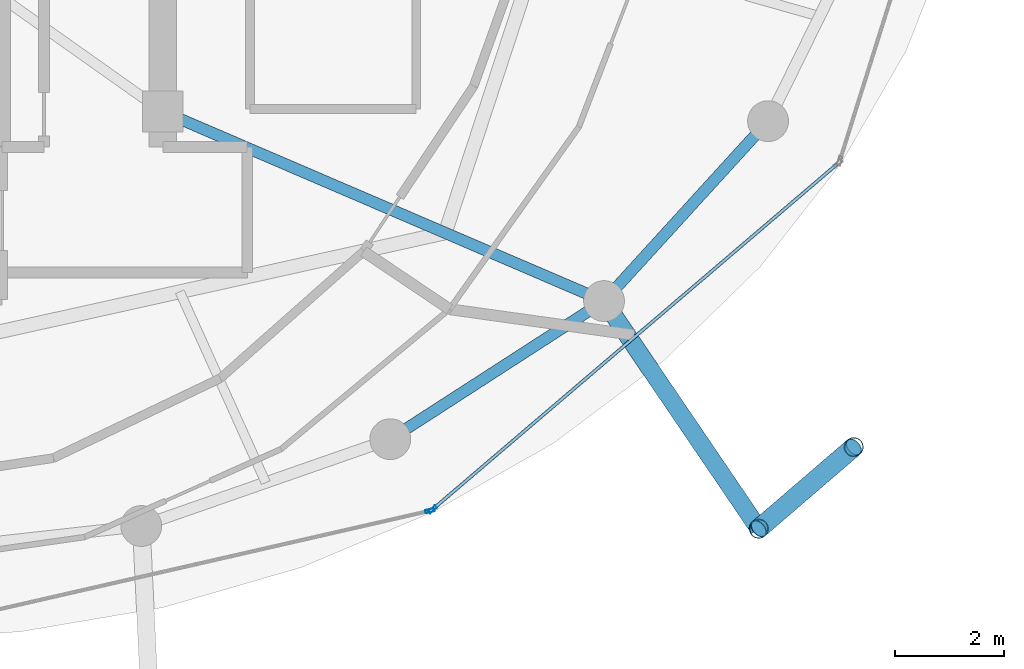
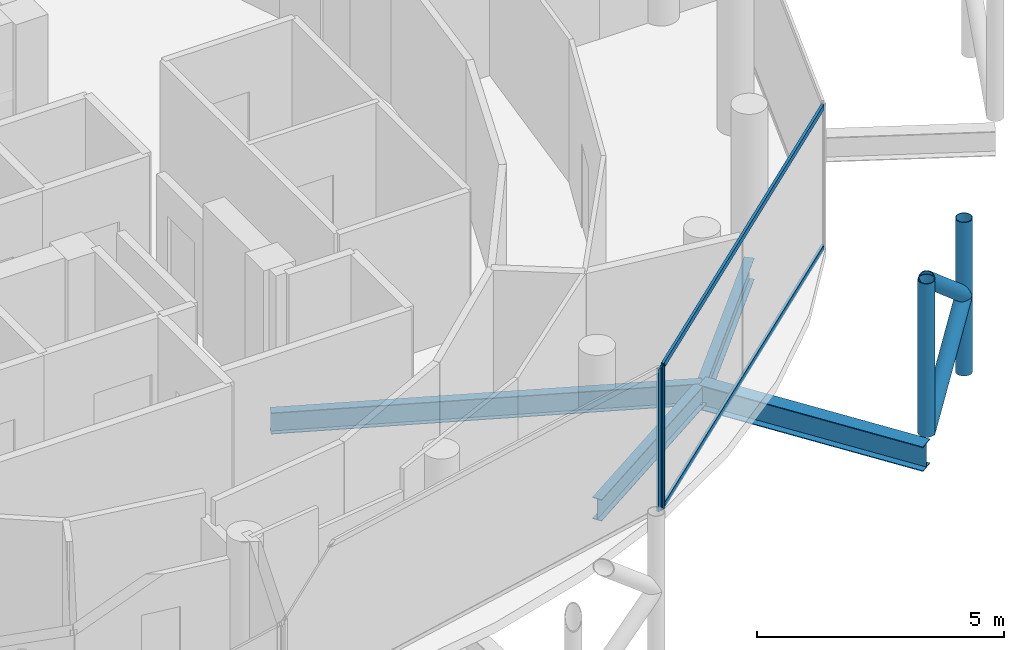
# One storey, part 9 of 24: 8 members, 4 beams, 2 elements without a shape of their own.
"""IFC4 building model written with IfcOpenShell, lengths in metres."""

from ifc_helpers import new_model, si_unit, direction, frame, origin, origin_2d, place, context, subcontext, project, spatial, hollow_rectangle, hollow_circle, i_section, extrude, material, layer, layer_set, material_profile, profile_set, type_object, element, aggregate, save


model = new_model("IFC4")

# Units and contexts
model_context = context("Model", 3, precision=1e-05, world=origin(), true_north=direction((0.0, 1.0)))
body_context = subcontext(model_context, "Body", "Model", "MODEL_VIEW")
ifc_project = project(units=[si_unit("LENGTHUNIT", "METRE"), si_unit("AREAUNIT", "SQUARE_METRE"), si_unit("VOLUMEUNIT", "CUBIC_METRE"), si_unit("PLANEANGLEUNIT", "RADIAN"), si_unit("MASSUNIT", "GRAM", prefix="KILO")], contexts=[model_context])

# Site, building, storey
site_placement = place(None, origin())
site = spatial("IfcSite", under=ifc_project, at=site_placement, CompositionType="ELEMENT")
building_placement = place(site_placement, origin())
building = spatial("IfcBuilding", under=site, at=building_placement, Name="Nuhasar Tower", CompositionType="ELEMENT")
storey_placement = place(building_placement, frame((0.0, 0.0, 267.0)))
storey = spatial("IfcBuildingStorey", under=building, at=storey_placement, Name="L66", CompositionType="ELEMENT", Elevation=267.0)

# Beams
ifc_material_1 = material(Name="Steel S355", Category="steel")
ifc_material_profile_1 = material_profile(ifc_material_1, i_section(OverallWidth=0.208984375, OverallDepth=0.528076171875, WebThickness=0.009521484375, FlangeThickness=0.01318359375, at=origin_2d()), Name="W21X55")
ifc_profile_set_1 = profile_set([ifc_material_profile_1], Name="Steel S355")
beam_type_1 = type_object("IfcBeamType", Name="BM-RAD-W21X55", PredefinedType="BEAM", material=ifc_profile_set_1)
beam_1_placement = place(storey_placement, frame((44.300048828125, 19.0, -0.52392578125), z_axis=(0.91887119061, -0.394557644797, 0.0), x_axis=(0.394557644797, 0.91887119061, 0.0)))
element("IfcBeam", 1, at=beam_1_placement, inside=storey, type_object=beam_type_1, Name="L66 Radial Floor Girder 03", PredefinedType="BEAM", context=body_context, shape_type="SweptSolid", body=[
    extrude(i_section(OverallWidth=0.208984375, OverallDepth=0.528076171875, WebThickness=0.009521484375, FlangeThickness=0.01318359375, at=origin_2d()), origin(), (0.0, 0.0, 1.0), 8.81494140625),
])
ifc_material_profile_2 = material_profile(ifc_material_1, i_section(OverallWidth=0.2099609375, OverallDepth=0.537109375, WebThickness=0.010986328125, FlangeThickness=0.017333984375, at=origin_2d()), Name="W21X68")
ifc_profile_set_2 = profile_set([ifc_material_profile_2], Name="Steel S355")
beam_type_2 = type_object("IfcBeamType", Name="BM-RING-W21X68", PredefinedType="SPANDREL", material=ifc_profile_set_2)
beam_2_placement = place(storey_placement, frame((48.47509765625, 12.987060546875, -0.529052734375), z_axis=(0.840025485934, 0.542546940809, 0.0), x_axis=(-0.542546940809, 0.840025485934, 0.0)))
element("IfcBeam", 2, at=beam_2_placement, inside=storey, type_object=beam_type_2, Name="L66 Perimeter Ring Spandrel 21", PredefinedType="SPANDREL", context=body_context, shape_type="SweptSolid", body=[
    extrude(i_section(OverallWidth=0.2099609375, OverallDepth=0.537109375, WebThickness=0.010986328125, FlangeThickness=0.017333984375, at=origin_2d()), origin(), (0.0, 0.0, 1.0), 4.67236328125),
])
beam_3_placement = place(storey_placement, frame((52.39990234375, 15.52197265625, -0.529052734375), z_axis=(0.673686302939, 0.739017432293, 0.0), x_axis=(-0.739017432293, 0.673686302939, 0.0)))
element("IfcBeam", 3, at=beam_3_placement, inside=storey, type_object=beam_type_2, Name="L66 Perimeter Ring Spandrel 22", PredefinedType="SPANDREL", context=body_context, shape_type="SweptSolid", body=[
    extrude(i_section(OverallWidth=0.2099609375, OverallDepth=0.537109375, WebThickness=0.010986328125, FlangeThickness=0.017333984375, at=origin_2d()), origin(), (0.0, 0.0, 1.0), 4.469482421875),
])
ifc_material_profile_3 = material_profile(ifc_material_1, i_section(OverallWidth=0.323974609375, OverallDepth=0.611083984375, WebThickness=0.0126953125, FlangeThickness=0.01904296875, at=origin_2d()), Name="W24X104")
ifc_profile_set_3 = profile_set([ifc_material_profile_3], Name="Steel S355")
beam_type_3 = type_object("IfcBeamType", Name="BM-TIE-W24X104", PredefinedType="BEAM", material=ifc_profile_set_3)
beam_4_placement = place(storey_placement, frame((52.39990234375, 15.52197265625, -0.56494140625), z_axis=(0.562093254487, -0.827073862034, 0.0), x_axis=(0.827073862034, 0.562093254487, 0.0)))
element("IfcBeam", 4, at=beam_4_placement, inside=storey, type_object=beam_type_3, Name="L66 Exoskeleton Node Tie Beam 11", PredefinedType="BEAM", context=body_context, shape_type="SweptSolid", body=[
    extrude(i_section(OverallWidth=0.323974609375, OverallDepth=0.611083984375, WebThickness=0.0126953125, FlangeThickness=0.01904296875, at=origin_2d()), origin(), (0.0, 0.0, 1.0), 5.052734375),
])

# Curtain wall, member
ifc_material_2 = material(Name="Aluminium 6063-T6", Category="aluminium")
ifc_layer = layer(ifc_material_2, 0.18994140625)
ifc_layer_set = layer_set([ifc_layer], Name="Aluminium 6063-T6")
curtain_wall_type = type_object("IfcCurtainWallType", Name="CW-Z4-PEN", PredefinedType="NOTDEFINED", material=ifc_layer_set)
curtain_wall_1_placement = place(storey_placement, origin())
curtain_wall_1 = element("IfcCurtainWall", 5, at=curtain_wall_1_placement, inside=storey, type_object=curtain_wall_type, Name="L66 Unitised Curtain Wall 10", PredefinedType="NOTDEFINED")
ifc_material_profile_4 = material_profile(ifc_material_2, hollow_rectangle(XDim=0.06005859375, YDim=0.1650390625, WallThickness=0.0048828125, at=origin_2d()), Name="CWM-5")
ifc_profile_set_4 = profile_set([ifc_material_profile_4], Name="Aluminium 6063-T6")
member_type_1 = type_object("IfcMemberType", Name="CW-MUL-S5", PredefinedType="MULLION", material=ifc_profile_set_4)
member_1_placement = place(storey_placement, frame((49.20068359375, 11.67236328125, 0.0), z_axis=(0.0, 0.0, 1.0), x_axis=(-0.222889487645, 0.97484371891, 0.0)))
member_1 = element("IfcMember", 6, at=member_1_placement, type_object=member_type_1, Name="CW-Z4 mullion 2", PredefinedType="MULLION", context=body_context, shape_type="SweptSolid", body=[
    extrude(hollow_rectangle(XDim=0.06005859375, YDim=0.1650390625, WallThickness=0.0048828125, at=origin_2d()), origin(), (0.0, 0.0, 1.0), 3.5400390625),
])
aggregate(curtain_wall_1, [member_1])

# Curtain wall, members
curtain_wall_2_placement = place(storey_placement, origin())
curtain_wall_2 = element("IfcCurtainWall", 7, at=curtain_wall_2_placement, inside=storey, type_object=curtain_wall_type, Name="L66 Unitised Curtain Wall 11", PredefinedType="NOTDEFINED")
member_2_placement = place(storey_placement, frame((49.2529296875, 11.698486328125, 0.0), z_axis=(0.0, 0.0, 1.0), x_axis=(-0.649141996205, 0.760667252327, 0.0)))
member_2 = element("IfcMember", 8, at=member_2_placement, type_object=member_type_1, Name="CW-Z4 mullion 1", PredefinedType="MULLION", context=body_context, shape_type="SweptSolid", body=[
    extrude(hollow_rectangle(XDim=0.06005859375, YDim=0.1650390625, WallThickness=0.0048828125, at=origin_2d()), origin(), (0.0, 0.0, 1.0), 3.5400390625),
])
ifc_material_profile_5 = material_profile(ifc_material_2, hollow_rectangle(XDim=0.06005859375, YDim=0.135009765625, WallThickness=0.00439453125, at=origin_2d()), Name="CWT-5")
ifc_profile_set_5 = profile_set([ifc_material_profile_5], Name="Aluminium 6063-T6")
member_type_2 = type_object("IfcMemberType", Name="CW-TRN-S5", PredefinedType="USERDEFINED", material=ifc_profile_set_5)
member_3_placement = place(storey_placement, frame((49.275634765625, 11.718017578125, 0.030029296875), z_axis=(0.760672431431, 0.649135927261, 0.0), x_axis=(-0.649135927261, 0.760672431431, 0.0)))
member_3 = element("IfcMember", 9, at=member_3_placement, type_object=member_type_2, Name="CW-Z4 transom 1.1", ObjectType="TRANSOM", PredefinedType="USERDEFINED", context=body_context, shape_type="SweptSolid", body=[
    extrude(hollow_rectangle(XDim=0.06005859375, YDim=0.135009765625, WallThickness=0.00439453125, at=origin_2d()), origin(), (0.0, 0.0, 1.0), 9.72509765625),
])
member_4_placement = place(storey_placement, frame((49.275634765625, 11.718017578125, 3.510009765625), z_axis=(0.760672431431, 0.649135927261, 0.0), x_axis=(-0.649135927261, 0.760672431431, 0.0)))
member_4 = element("IfcMember", 10, at=member_4_placement, type_object=member_type_2, Name="CW-Z4 transom 1.2", ObjectType="TRANSOM", PredefinedType="USERDEFINED", context=body_context, shape_type="SweptSolid", body=[
    extrude(hollow_rectangle(XDim=0.06005859375, YDim=0.135009765625, WallThickness=0.00439453125, at=origin_2d()), origin(), (0.0, 0.0, 1.0), 9.72509765625),
])
aggregate(curtain_wall_2, [member_2, member_3, member_4])

# Members
ifc_material_3 = material(Name="Steel S460", Category="steel")
ifc_material_profile_6 = material_profile(ifc_material_3, hollow_circle(Radius=0.177734375, WallThickness=0.015869140625, at=origin_2d()), Name="HSS355.6X15.9")
ifc_profile_set_6 = profile_set([ifc_material_profile_6], Name="Steel S460")
member_type_3 = type_object("IfcMemberType", Name="EXO-BRONZE-356", PredefinedType="BRACE", material=ifc_profile_set_6)
for number, where, z_axis, x_axis, name in (
    (11, (55.239990234375, 11.343017578125, 0.0), (0.0, 0.0, 1.0), (1.0, 0.0, 0.0), "L66 Exoskeleton Chord Column EC-11A"),
    (12, (56.98388671875, 12.842041015625, 0.0), (0.0, 0.0, 1.0), (1.0, 0.0, 0.0), "L66 Exoskeleton Chord Column EC-11B"),
):
    element("IfcMember", number, at=place(storey_placement, frame(where, z_axis=z_axis, x_axis=x_axis)), inside=storey, type_object=member_type_3, Name=name, PredefinedType="BRACE", context=body_context, shape_type="SweptSolid", body=[
        extrude(hollow_circle(Radius=0.177734375, WallThickness=0.015869140625, at=origin_2d()), origin(), (0.0, 0.0, 1.0), 3.800048828125),
    ])
member_5_placement = place(storey_placement, frame((55.239990234375, 11.343017578125, 0.0), z_axis=(0.584625223306, 0.502533791278, 0.636924749792), x_axis=(-0.65185738425, 0.758341579104, 0.0)))
element("IfcMember", 13, at=member_5_placement, inside=storey, type_object=member_type_3, Name="L66 Bronze Diagrid Brace W1-11", PredefinedType="BRACE", context=body_context, shape_type="SweptSolid", body=[
    extrude(hollow_circle(Radius=0.177734375, WallThickness=0.015869140625, at=origin_2d()), origin(), (0.0, 0.0, 1.0), 2.98291015625),
])
member_6_placement = place(storey_placement, frame((56.98388671875, 12.842041015625, 1.89990234375), z_axis=(-0.584594747408, -0.50250759472, 0.636973389203), x_axis=(0.65185738425, -0.758341579104, 0.0)))
element("IfcMember", 14, at=member_6_placement, inside=storey, type_object=member_type_3, Name="L66 Bronze Diagrid Brace W2-11", PredefinedType="BRACE", context=body_context, shape_type="SweptSolid", body=[
    extrude(hollow_circle(Radius=0.177734375, WallThickness=0.015869140625, at=origin_2d()), origin(), (0.0, 0.0, 1.0), 2.983154296875),
])

save(model, "model.ifc")
